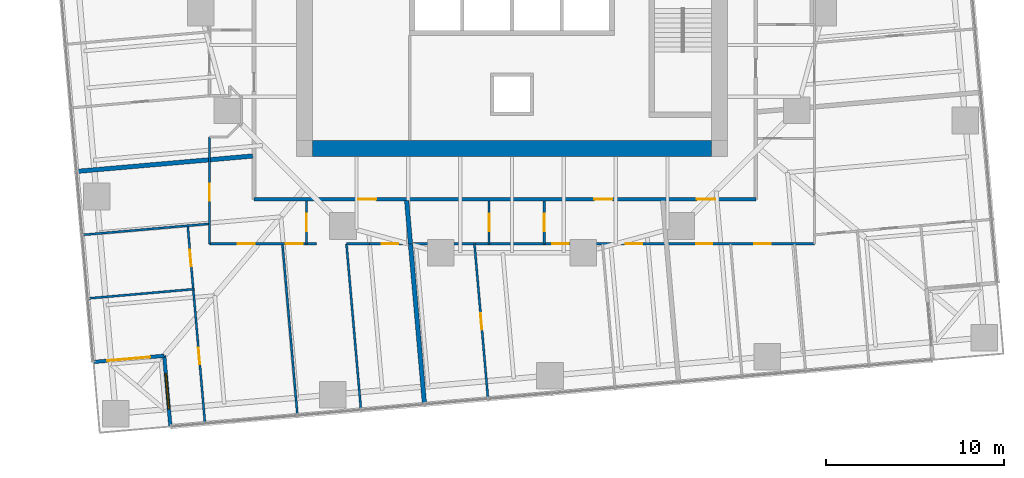
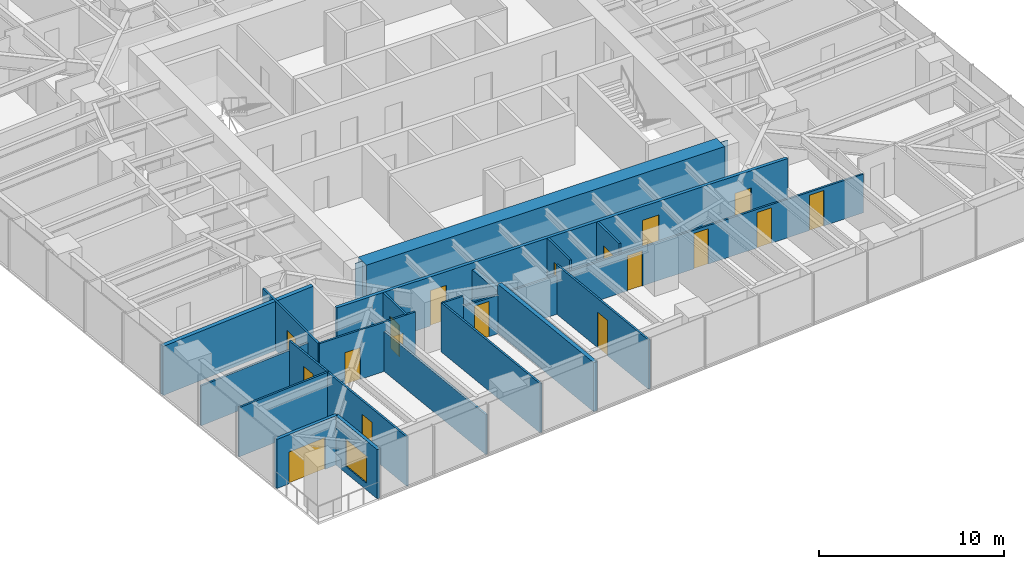
# One storey, part 8 of 14: 20 walls, 18 doors, 1 window, 19 openings.
"""IFC4 building model written with IfcOpenShell, lengths in metres."""

import ifcopenshell
import ifcopenshell.guid

model = None  # the IFC model being written
_history = None  # IfcOwnerHistory: only IFC2X3 demands one
_inside = {}  # id of a spatial element -> (the spatial element, [elements in it])
_under = {}  # id of a project, library or spatial element -> (it, [spatial elements below it])
_declared = {}  # id of a project -> (the project, [libraries it declares])
_typed = {}  # id of a type object -> (the type object, [elements of that type])
_made_of = {}  # id of a material, layer set ... -> (it, [elements and type objects made of it])


def new_model(schema):
    """Start an empty IFC model of exactly this schema.

    Asked for "IFC4X3", IfcOpenShell would pick the latest addendum, in which some entities
    have other attributes; the version numbers below select the first issue.
    IFC2X3 requires an IfcOwnerHistory on every rooted entity: one is made here for all.
    """
    global model, _history
    if schema == "IFC4X3":
        model = ifcopenshell.file(schema_version=(4, 3, 0, 0))
    else:
        model = ifcopenshell.file(schema=schema)
    _inside.clear()
    _under.clear()
    _declared.clear()
    _typed.clear()
    _made_of.clear()
    _history = None
    if model.schema == "IFC2X3":
        org = make("IfcOrganization", Name="unknown")
        user = make(
            "IfcPersonAndOrganization",
            ThePerson=make("IfcPerson", FamilyName="unknown"),
            TheOrganization=org,
        )
        app = make(
            "IfcApplication",
            ApplicationDeveloper=org,
            Version="unknown",
            ApplicationFullName="unknown",
            ApplicationIdentifier="unknown",
        )
        _history = make(
            "IfcOwnerHistory",
            OwningUser=user,
            OwningApplication=app,
            ChangeAction="ADDED",
            CreationDate=0,
        )
    return model


def make(cls, **values):
    """One entity of the class cls with the attributes given. An attribute that is None is left unset."""
    return model.create_entity(
        cls, **{name: value for name, value in values.items() if value is not None}
    )


def rooted(cls, **values):
    """An entity with a GlobalId (a new one), such as an element, a storey or a relation."""
    return make(cls, GlobalId=ifcopenshell.guid.new(), OwnerHistory=_history, **values)


def si_unit(unit_type, name, prefix=None):
    """IfcSIUnit, for example si_unit("LENGTHUNIT", "METRE", prefix="MILLI")."""
    return make("IfcSIUnit", UnitType=unit_type, Prefix=prefix, Name=name)


def assignment(units):
    """IfcUnitAssignment: the units of a project."""
    return None if units is None else make("IfcUnitAssignment", Units=units)


def point(xyz):
    """IfcCartesianPoint."""
    return None if xyz is None else make("IfcCartesianPoint", Coordinates=xyz)


def direction(xyz):
    """IfcDirection."""
    return None if xyz is None else make("IfcDirection", DirectionRatios=xyz)


def frame(location, z_axis=None, x_axis=None):
    """IfcAxis2Placement3D, a coordinate frame: its origin and axes. An axis left out is left unset."""
    return make(
        "IfcAxis2Placement3D",
        Location=point(location),
        Axis=direction(z_axis),
        RefDirection=direction(x_axis),
    )


def frame_2d(location, x_axis=None):
    """IfcAxis2Placement2D, a coordinate frame in the plane: its origin and x axis."""
    return make(
        "IfcAxis2Placement2D", Location=point(location), RefDirection=direction(x_axis)
    )


def origin():
    """The frame at (0, 0, 0) with its axes left unset."""
    return frame((0.0, 0.0, 0.0))


def place(relative_to, where):
    """IfcLocalPlacement: puts the frame where relative to a parent placement (None: the world)."""
    return make(
        "IfcLocalPlacement", PlacementRelTo=relative_to, RelativePlacement=where
    )


def context(
    kind, dimensions, precision=None, world=None, true_north=None, identifier=None
):
    """IfcGeometricRepresentationContext, for example the 3D "Model" context."""
    return make(
        "IfcGeometricRepresentationContext",
        ContextIdentifier=identifier,
        ContextType=kind,
        CoordinateSpaceDimension=dimensions,
        Precision=precision,
        WorldCoordinateSystem=world,
        TrueNorth=true_north,
    )


def subcontext(parent, identifier, kind, view, scale=None):
    """IfcGeometricRepresentationSubContext, for example "Body" below "Model"."""
    return make(
        "IfcGeometricRepresentationSubContext",
        ContextIdentifier=identifier,
        ContextType=kind,
        ParentContext=parent,
        TargetScale=scale,
        TargetView=view,
    )


def project(units=None, contexts=None):
    """IfcProject with its units and contexts."""
    return rooted(
        "IfcProject",
        Name="project",
        RepresentationContexts=contexts,
        UnitsInContext=assignment(units),
    )


def spatial(cls, under=None, at=None, **own):
    """A site, building, storey or space (cls), placed at a placement, below another one or the project."""
    s = rooted(cls, ObjectPlacement=at, **own)
    if under is not None:
        _under.setdefault(under.id(), (under, []))[1].append(s)
    return s


def polyline(points):
    """IfcPolyline through the points."""
    return make("IfcPolyline", Points=[point(p) for p in points])


def profile(cls, at=None, kind="AREA", **sizes):
    """A parametric profile (cls). Its sizes go by their IFC names, for example OverallWidth=200.0."""
    return make(cls, ProfileType=kind, Position=at, **sizes)


def rectangle(**sizes):
    """IfcRectangleProfileDef."""
    return profile("IfcRectangleProfileDef", **sizes)


def outline(outer, holes=None, kind="AREA"):
    """IfcArbitraryClosedProfileDef: a profile drawn as a closed curve; with holes, ...WithVoids."""
    if holes is None:
        return make("IfcArbitraryClosedProfileDef", ProfileType=kind, OuterCurve=outer)
    return make(
        "IfcArbitraryProfileDefWithVoids",
        ProfileType=kind,
        OuterCurve=outer,
        InnerCurves=holes,
    )


def extrude(swept, where, along, depth):
    """IfcExtrudedAreaSolid: the profile swept, set in the frame where, extruded along a direction by depth."""
    return make(
        "IfcExtrudedAreaSolid",
        SweptArea=swept,
        Position=where,
        ExtrudedDirection=direction(along),
        Depth=depth,
    )


def shape(context_of_items, identifier, shape_type, items):
    """IfcShapeRepresentation: the items that make up one representation, for example the "Body"."""
    return make(
        "IfcShapeRepresentation",
        ContextOfItems=context_of_items,
        RepresentationIdentifier=identifier,
        RepresentationType=shape_type,
        Items=items,
    )


def material(Name=None, Category=None):
    """IfcMaterial."""
    return make("IfcMaterial", Name=Name, Category=Category)


def layer(
    of_material, thickness, ventilated=None, Name=None, Category=None, Priority=None
):
    """IfcMaterialLayer: one layer of a wall or slab, of a material (None: an air gap)."""
    return make(
        "IfcMaterialLayer",
        Material=of_material,
        LayerThickness=thickness,
        IsVentilated=ventilated,
        Name=Name,
        Category=Category,
        Priority=Priority,
    )


def layer_set(layers, Name=None):
    """IfcMaterialLayerSet."""
    return make("IfcMaterialLayerSet", MaterialLayers=layers, LayerSetName=Name)


def made_of(thing, what):
    """Note that an element or type object is made of a material, layer set ...; save() writes the relation."""
    if what is not None:
        _made_of.setdefault(what.id(), (what, []))[1].append(thing)
    return thing


def type_object(cls, material=None, **own):
    """A type object (cls), such as IfcWallType, which elements share."""
    return made_of(rooted(cls, **own), material)


def element(
    cls,
    number,
    at=None,
    inside=None,
    cuts=None,
    type_object=None,
    material=None,
    context=None,
    identifier="Body",
    shape_type=None,
    held_by="IfcProductDefinitionShape",
    body=None,
    shapes=None,
    **own,
):
    """One element of the class cls, such as IfcWall. Its Tag is "e" and its number.

    at: its placement. inside: the storey or other place that contains it. cuts: it is an
    opening in that element (IfcRelVoidsElement). A single representation is given by context,
    identifier, shape_type and body (its items); several are given by shapes. held_by: the class
    of the entity that holds the representations. save() writes the other relations.
    """
    e = rooted(cls, Tag="e%d" % number, ObjectPlacement=at, **own)
    if body is not None:
        shapes = [shape(context, identifier, shape_type, body)]
    if shapes is not None:
        e.Representation = make(held_by, Representations=shapes)
    if inside is not None:
        _inside.setdefault(inside.id(), (inside, []))[1].append(e)
    if cuts is not None:
        rooted(
            "IfcRelVoidsElement", RelatingBuildingElement=cuts, RelatedOpeningElement=e
        )
    if type_object is not None:
        _typed.setdefault(type_object.id(), (type_object, []))[1].append(e)
    return made_of(e, material)


def fill(opening, filler):
    """IfcRelFillsElement: the door or window that sits in an opening."""
    return rooted(
        "IfcRelFillsElement",
        RelatingOpeningElement=opening,
        RelatedBuildingElement=filler,
    )


def aggregate(whole, parts):
    """IfcRelAggregates: a whole, such as a stair, and the parts it consists of."""
    return rooted("IfcRelAggregates", RelatingObject=whole, RelatedObjects=parts)


def save(model, path):
    """Write the relations noted so far, then the file.

    IfcRelAggregates (storeys below a building ...), IfcRelContainedInSpatialStructure (elements
    in a storey), IfcRelDefinesByType, IfcRelAssociatesMaterial and IfcRelDeclares: one each for
    every whole, place, type object, material and project.
    """
    for whole, parts in _under.values():
        aggregate(whole, parts)
    for where, things in _inside.values():
        rooted(
            "IfcRelContainedInSpatialStructure",
            RelatedElements=things,
            RelatingStructure=where,
        )
    for kind, things in _typed.values():
        rooted("IfcRelDefinesByType", RelatedObjects=things, RelatingType=kind)
    for what, things in _made_of.values():
        rooted("IfcRelAssociatesMaterial", RelatedObjects=things, RelatingMaterial=what)
    for by, libraries in _declared.values():
        rooted("IfcRelDeclares", RelatingContext=by, RelatedDefinitions=libraries)
    model.write(path)


model = new_model("IFC4")

# Units and contexts
model_context = context("Model", 3, precision=1e-05, world=origin(), true_north=direction((0.0, 1.0)))
body_context = subcontext(model_context, "Body", "Model", "MODEL_VIEW")
ifc_project = project(units=[si_unit("LENGTHUNIT", "METRE"), si_unit("AREAUNIT", "SQUARE_METRE"), si_unit("VOLUMEUNIT", "CUBIC_METRE"), si_unit("PLANEANGLEUNIT", "RADIAN"), si_unit("MASSUNIT", "GRAM", prefix="KILO")], contexts=[model_context])

# Site, building, storey
site_placement = place(None, origin())
site = spatial("IfcSite", under=ifc_project, at=site_placement, CompositionType="ELEMENT")
building_placement = place(site_placement, origin())
building = spatial("IfcBuilding", under=site, at=building_placement, Name="Torsade Residences", CompositionType="ELEMENT")
storey_placement = place(building_placement, frame((0.0, 0.0, 47.199951171875)))
storey = spatial("IfcBuildingStorey", under=building, at=storey_placement, Name="L12", CompositionType="ELEMENT", Elevation=47.199951171875)

# Wall
ifc_material_1 = material(Name="Concrete 80 MPa", Category="concrete")
ifc_layer_1 = layer(ifc_material_1, 0.89990234375)
ifc_layer_set_1 = layer_set([ifc_layer_1], Name="Concrete 80 MPa")
wall_type_1 = type_object("IfcWallType", Name="CORE WALL 900", PredefinedType="SHEAR", material=ifc_layer_set_1)
wall_1_placement = place(storey_placement, frame((51.199951171875, 18.35009765625, 0.0), z_axis=(0.0, 0.0, 1.0), x_axis=(-1.0, 0.0, 0.0)))
element("IfcWall", 1, at=wall_1_placement, inside=storey, type_object=wall_type_1, Name="Core wall S L12", PredefinedType="SHEAR", context=body_context, shape_type="SweptSolid", body=[
    extrude(outline(polyline([(0.0, -0.449951171875), (22.39990234375, -0.449951171875), (22.39990234375, -0.02490234375), (22.849853515625, -0.02490234375), (22.849853515625, 0.02490234375), (22.39990234375, 0.02490234375), (22.39990234375, 0.449951171875), (0.0, 0.449951171875), (0.0, 0.02490234375), (-0.449951171875, 0.02490234375), (-0.449951171875, -0.02490234375), (0.0, -0.02490234375), (0.0, -0.449951171875)])), origin(), (0.0, 0.0, 1.0), 3.400146484375),
])

# Wall, openings, doors
ifc_material_2 = material(Name="Plasterboard on steel stud", Category="steel")
ifc_layer_2 = layer(ifc_material_2, 0.199951171875)
ifc_layer_set_2 = layer_set([ifc_layer_2], Name="Plasterboard on steel stud")
wall_type_2 = type_object("IfcWallType", Name="CORRIDOR WALL 200", PredefinedType="PARTITIONING", material=ifc_layer_set_2)
wall_2_placement = place(storey_placement, frame((25.5, 15.5, 0.0), z_axis=(0.0, 0.0, 1.0), x_axis=(1.0, 0.0, 0.0)))
wall_2 = element("IfcWall", 2, at=wall_2_placement, inside=storey, type_object=wall_type_2, Name="Corridor wall L12", PredefinedType="PARTITIONING", context=body_context, shape_type="SweptSolid", body=[
    extrude(rectangle(XDim=28.199951171875, YDim=0.199951171875, at=frame_2d((14.10009765625, 0.0))), origin(), (0.0, 0.0, 1.0), 3.25),
])
opening_1_placement = place(wall_2_placement, frame((19.123046875, 0.0, 0.0)))
opening_1 = element("IfcOpeningElement", 3, at=opening_1_placement, cuts=wall_2, Name="Opening D01", PredefinedType="OPENING", context=body_context, shape_type="SweptSolid", body=[
    extrude(rectangle(XDim=1.02001953125, YDim=2.340087890625, at=frame_2d((0.510009765625, 1.169921875))), frame((0.0, 0.10986328125, 0.0), z_axis=(0.0, -1.0, 0.0), x_axis=(1.0, 0.0, 0.0)), (0.0, 0.0, 1.0), 0.219970703125),
])
opening_2_placement = place(wall_2_placement, frame((5.85009765625, 0.0, 0.0)))
opening_2 = element("IfcOpeningElement", 4, at=opening_2_placement, cuts=wall_2, Name="Opening D01", PredefinedType="OPENING", context=body_context, shape_type="SweptSolid", body=[
    extrude(rectangle(XDim=1.02001953125, YDim=2.340087890625, at=frame_2d((0.510009765625, 1.169921875))), frame((0.0, 0.10986328125, 0.0), z_axis=(0.0, -1.0, 0.0), x_axis=(1.0, 0.0, 0.0)), (0.0, 0.0, 1.0), 0.219970703125),
])
opening_3_placement = place(wall_2_placement, frame((24.891845703125, 0.0, 0.0)))
opening_3 = element("IfcOpeningElement", 5, at=opening_3_placement, cuts=wall_2, Name="Opening D01L", PredefinedType="OPENING", context=body_context, shape_type="SweptSolid", body=[
    extrude(rectangle(XDim=1.02001953125, YDim=2.10009765625, at=frame_2d((0.510009765625, 1.050048828125))), frame((0.0, 0.10986328125, 0.0), z_axis=(0.0, -1.0, 0.0), x_axis=(1.0, 0.0, 0.0)), (0.0, 0.0, 1.0), 0.219970703125),
])
ifc_material_3 = material(Name="Solid-core timber fire door", Category="wood")
door_type_1 = type_object("IfcDoorType", Name="APARTMENT ENTRY DOOR 1020x2100", OperationType="NOTDEFINED", PredefinedType="DOOR", material=ifc_material_3)
door_1_placement = place(opening_3_placement, origin())
door_1 = element("IfcDoor", 6, at=door_1_placement, inside=storey, type_object=door_type_1, Name="Door Residential corridor to Kitchen and dining", OperationType="SINGLE_SWING_RIGHT", OverallHeight=2.10009765625, OverallWidth=1.02001953125, PredefinedType="DOOR", context=body_context, shape_type="SweptSolid", body=[
    extrude(rectangle(XDim=1.02001953125, YDim=2.10009765625, at=frame_2d((0.510009765625, 1.050048828125))), frame((0.0, 0.02490234375, 0.0), z_axis=(0.0, -1.0, 0.0), x_axis=(1.0, 0.0, 0.0)), (0.0, 0.0, 1.0), 0.050048828125),
])
fill(opening_3, door_1)
ifc_material_4 = material(Name="Solid-core timber fire door", Category="wood")
door_type_2 = type_object("IfcDoorType", Name="APARTMENT ENTRY DOOR 1020x2340", OperationType="NOTDEFINED", PredefinedType="DOOR", material=ifc_material_4)
door_2_placement = place(opening_1_placement, origin())
door_2 = element("IfcDoor", 7, at=door_2_placement, inside=storey, type_object=door_type_2, Name="Door Residential corridor to Kitchen and dining", OperationType="SINGLE_SWING_RIGHT", OverallHeight=2.340087890625, OverallWidth=1.02001953125, PredefinedType="DOOR", context=body_context, shape_type="SweptSolid", body=[
    extrude(rectangle(XDim=1.02001953125, YDim=2.340087890625, at=frame_2d((0.510009765625, 1.169921875))), frame((0.0, 0.02490234375, 0.0), z_axis=(0.0, -1.0, 0.0), x_axis=(1.0, 0.0, 0.0)), (0.0, 0.0, 1.0), 0.050048828125),
])
fill(opening_1, door_2)
door_3_placement = place(opening_2_placement, origin())
door_3 = element("IfcDoor", 8, at=door_3_placement, inside=storey, type_object=door_type_2, Name="Door Residential corridor to Kitchen and dining", OperationType="SINGLE_SWING_RIGHT", OverallHeight=2.340087890625, OverallWidth=1.02001953125, PredefinedType="DOOR", context=body_context, shape_type="SweptSolid", body=[
    extrude(rectangle(XDim=1.02001953125, YDim=2.340087890625, at=frame_2d((0.510009765625, 1.169921875))), frame((0.0, 0.02490234375, 0.0), z_axis=(0.0, -1.0, 0.0), x_axis=(1.0, 0.0, 0.0)), (0.0, 0.0, 1.0), 0.050048828125),
])
fill(opening_2, door_3)

# Wall, opening, door
ifc_material_5 = material(Name="Plasterboard on steel stud", Category="steel")
ifc_layer_3 = layer(ifc_material_5, 0.1201171875)
ifc_layer_set_3 = layer_set([ifc_layer_3], Name="Plasterboard on steel stud")
wall_type_3 = type_object("IfcWallType", Name="PARTITION 120", PredefinedType="PARTITIONING", material=ifc_layer_set_3)
wall_3_placement = place(storey_placement, frame((23.0, 13.0, 0.0), z_axis=(0.0, 0.0, 1.0), x_axis=(0.0, 1.0, 0.0)))
wall_3 = element("IfcWall", 9, at=wall_3_placement, inside=storey, type_object=wall_type_3, Name="Partition L12", PredefinedType="PARTITIONING", context=body_context, shape_type="SweptSolid", body=[
    extrude(rectangle(XDim=6.0, YDim=0.1201171875, at=frame_2d((3.0, 0.0))), origin(), (0.0, 0.0, 1.0), 3.25),
])
opening_4_placement = place(wall_3_placement, frame((2.41796875, 0.0, 0.0)))
opening_4 = element("IfcOpeningElement", 10, at=opening_4_placement, cuts=wall_3, Name="Opening D05", PredefinedType="OPENING", context=body_context, shape_type="SweptSolid", body=[
    extrude(rectangle(XDim=0.9599609375, YDim=2.10009765625, at=frame_2d((0.47998046875, 1.050048828125))), frame((0.0, 0.070068359375, 0.0), z_axis=(0.0, -1.0, 0.0), x_axis=(1.0, 0.0, 0.0)), (0.0, 0.0, 1.0), 0.14013671875),
])
ifc_material_6 = material(Name="Hollow-core timber door in a steel cavity frame", Category="steel")
door_type_3 = type_object("IfcDoorType", Name="BATHROOM CAVITY SLIDING DOOR 960", OperationType="SLIDING_TO_LEFT", PredefinedType="DOOR", material=ifc_material_6)
door_4_placement = place(opening_4_placement, origin())
door_4 = element("IfcDoor", 11, at=door_4_placement, inside=storey, type_object=door_type_3, Name="Door Bathroom to Family room", OperationType="SLIDING_TO_LEFT", OverallHeight=2.10009765625, OverallWidth=0.9599609375, PredefinedType="DOOR", context=body_context, shape_type="SweptSolid", body=[
    extrude(rectangle(XDim=0.9599609375, YDim=2.10009765625, at=frame_2d((0.47998046875, 1.050048828125))), frame((0.0, 0.02490234375, 0.0), z_axis=(0.0, -1.0, 0.0), x_axis=(1.0, 0.0, 0.0)), (0.0, 0.0, 1.0), 0.050048828125),
])
fill(opening_4, door_4)

wall_4_placement = place(storey_placement, frame((28.45361328125, 13.0, 0.0), z_axis=(0.0, 0.0, 1.0), x_axis=(0.0, 1.0, 0.0)))
wall_4 = element("IfcWall", 12, at=wall_4_placement, inside=storey, type_object=wall_type_3, Name="Partition L12", PredefinedType="PARTITIONING", context=body_context, shape_type="SweptSolid", body=[
    extrude(rectangle(XDim=2.39990234375, YDim=0.1201171875, at=frame_2d((1.199951171875, 0.0))), origin(), (0.0, 0.0, 1.0), 3.25),
])
opening_5_placement = place(wall_4_placement, frame((0.719970703125, 0.0, 0.0)))
opening_5 = element("IfcOpeningElement", 13, at=opening_5_placement, cuts=wall_4, Name="Opening D05", PredefinedType="OPENING", context=body_context, shape_type="SweptSolid", body=[
    extrude(rectangle(XDim=0.9599609375, YDim=2.10009765625, at=frame_2d((0.47998046875, 1.050048828125))), frame((0.0, 0.070068359375, 0.0), z_axis=(0.0, -1.0, 0.0), x_axis=(1.0, 0.0, 0.0)), (0.0, 0.0, 1.0), 0.14013671875),
])
door_5_placement = place(opening_5_placement, origin())
door_5 = element("IfcDoor", 14, at=door_5_placement, inside=storey, type_object=door_type_3, Name="Door Kitchen and dining to Bathroom", OperationType="SLIDING_TO_LEFT", OverallHeight=2.10009765625, OverallWidth=0.9599609375, PredefinedType="DOOR", context=body_context, shape_type="SweptSolid", body=[
    extrude(rectangle(XDim=0.9599609375, YDim=2.10009765625, at=frame_2d((0.47998046875, 1.050048828125))), frame((0.0, 0.02490234375, 0.0), z_axis=(0.0, -1.0, 0.0), x_axis=(1.0, 0.0, 0.0)), (0.0, 0.0, 1.0), 0.050048828125),
])
fill(opening_5, door_5)

# Wall, openings, doors
wall_5_placement = place(storey_placement, frame((29.0, 13.0, 0.0), z_axis=(0.0, 0.0, 1.0), x_axis=(-1.0, 0.0, 0.0)))
wall_5 = element("IfcWall", 15, at=wall_5_placement, inside=storey, type_object=wall_type_3, Name="Partition L12", PredefinedType="PARTITIONING", context=body_context, shape_type="SweptSolid", body=[
    extrude(rectangle(XDim=6.0, YDim=0.1201171875, at=frame_2d((3.0, 0.0))), origin(), (0.0, 0.0, 1.0), 3.25),
])
opening_6_placement = place(wall_5_placement, frame((3.4453125, 0.0, 0.0)))
opening_6 = element("IfcOpeningElement", 16, at=opening_6_placement, cuts=wall_5, Name="Opening D05", PredefinedType="OPENING", context=body_context, shape_type="SweptSolid", body=[
    extrude(rectangle(XDim=0.9599609375, YDim=2.10009765625, at=frame_2d((0.47998046875, 1.050048828125))), frame((0.0, 0.070068359375, 0.0), z_axis=(0.0, -1.0, 0.0), x_axis=(1.0, 0.0, 0.0)), (0.0, 0.0, 1.0), 0.14013671875),
])
opening_7_placement = place(wall_5_placement, frame((0.768798828125, 0.0, 0.0)))
opening_7 = element("IfcOpeningElement", 17, at=opening_7_placement, cuts=wall_5, Name="Opening D05", PredefinedType="OPENING", context=body_context, shape_type="SweptSolid", body=[
    extrude(rectangle(XDim=0.9599609375, YDim=2.10009765625, at=frame_2d((0.47998046875, 1.050048828125))), frame((0.0, 0.070068359375, 0.0), z_axis=(0.0, -1.0, 0.0), x_axis=(1.0, 0.0, 0.0)), (0.0, 0.0, 1.0), 0.14013671875),
])
door_6_placement = place(opening_6_placement, origin())
door_6 = element("IfcDoor", 18, at=door_6_placement, inside=storey, type_object=door_type_3, Name="Door Bathroom to Living room", OperationType="SLIDING_TO_LEFT", OverallHeight=2.10009765625, OverallWidth=0.9599609375, PredefinedType="DOOR", context=body_context, shape_type="SweptSolid", body=[
    extrude(rectangle(XDim=0.9599609375, YDim=2.10009765625, at=frame_2d((0.47998046875, 1.050048828125))), frame((0.0, 0.02490234375, 0.0), z_axis=(0.0, -1.0, 0.0), x_axis=(1.0, 0.0, 0.0)), (0.0, 0.0, 1.0), 0.050048828125),
])
fill(opening_6, door_6)
door_7_placement = place(opening_7_placement, origin())
door_7 = element("IfcDoor", 19, at=door_7_placement, inside=storey, type_object=door_type_3, Name="Door Bathroom to Bedroom 1", OperationType="SLIDING_TO_LEFT", OverallHeight=2.10009765625, OverallWidth=0.9599609375, PredefinedType="DOOR", context=body_context, shape_type="SweptSolid", body=[
    extrude(rectangle(XDim=0.9599609375, YDim=2.10009765625, at=frame_2d((0.47998046875, 1.050048828125))), frame((0.0, 0.02490234375, 0.0), z_axis=(0.0, -1.0, 0.0), x_axis=(1.0, 0.0, 0.0)), (0.0, 0.0, 1.0), 0.050048828125),
])
fill(opening_7, door_7)

wall_6_placement = place(storey_placement, frame((57.0, 13.0, 0.0), z_axis=(0.0, 0.0, 1.0), x_axis=(-1.0, 0.0, 0.0)))
wall_6 = element("IfcWall", 20, at=wall_6_placement, inside=storey, type_object=wall_type_3, Name="Partition L12", PredefinedType="PARTITIONING", context=body_context, shape_type="SweptSolid", body=[
    extrude(rectangle(XDim=25.0, YDim=0.1201171875, at=frame_2d((12.5, 0.0))), origin(), (0.0, 0.0, 1.0), 2.550048828125),
])
opening_8_placement = place(wall_6_placement, frame((9.682373046875, 0.0, 0.0)))
opening_8 = element("IfcOpeningElement", 21, at=opening_8_placement, cuts=wall_6, Name="Opening D02", PredefinedType="OPENING", context=body_context, shape_type="SweptSolid", body=[
    extrude(rectangle(XDim=0.919921875, YDim=2.340087890625, at=frame_2d((0.4599609375, 1.169921875))), frame((0.0, 0.070068359375, 0.0), z_axis=(0.0, -1.0, 0.0), x_axis=(1.0, 0.0, 0.0)), (0.0, 0.0, 1.0), 0.14013671875),
])
opening_9_placement = place(wall_6_placement, frame((13.817138671875, 0.0, 0.0)))
opening_9 = element("IfcOpeningElement", 22, at=opening_9_placement, cuts=wall_6, Name="Opening D02", PredefinedType="OPENING", context=body_context, shape_type="SweptSolid", body=[
    extrude(rectangle(XDim=0.919921875, YDim=2.340087890625, at=frame_2d((0.4599609375, 1.169921875))), frame((0.0, 0.070068359375, 0.0), z_axis=(0.0, -1.0, 0.0), x_axis=(1.0, 0.0, 0.0)), (0.0, 0.0, 1.0), 0.14013671875),
])
opening_10_placement = place(wall_6_placement, frame((23.393310546875, 0.0, 0.0)))
opening_10 = element("IfcOpeningElement", 23, at=opening_10_placement, cuts=wall_6, Name="Opening D02", PredefinedType="OPENING", context=body_context, shape_type="SweptSolid", body=[
    extrude(rectangle(XDim=0.919921875, YDim=2.340087890625, at=frame_2d((0.4599609375, 1.169921875))), frame((0.0, 0.070068359375, 0.0), z_axis=(0.0, -1.0, 0.0), x_axis=(1.0, 0.0, 0.0)), (0.0, 0.0, 1.0), 0.14013671875),
])
opening_11_placement = place(wall_6_placement, frame((2.463134765625, 0.0, 0.0)))
opening_11 = element("IfcOpeningElement", 24, at=opening_11_placement, cuts=wall_6, Name="Opening D02", PredefinedType="OPENING", context=body_context, shape_type="SweptSolid", body=[
    extrude(rectangle(XDim=0.919921875, YDim=2.340087890625, at=frame_2d((0.4599609375, 1.169921875))), frame((0.0, 0.070068359375, 0.0), z_axis=(0.0, -1.0, 0.0), x_axis=(1.0, 0.0, 0.0)), (0.0, 0.0, 1.0), 0.14013671875),
])
opening_12_placement = place(wall_6_placement, frame((5.735107421875, 0.0, 0.0)))
opening_12 = element("IfcOpeningElement", 25, at=opening_12_placement, cuts=wall_6, Name="Opening D02", PredefinedType="OPENING", context=body_context, shape_type="SweptSolid", body=[
    extrude(rectangle(XDim=0.919921875, YDim=2.340087890625, at=frame_2d((0.4599609375, 1.169921875))), frame((0.0, 0.070068359375, 0.0), z_axis=(0.0, -1.0, 0.0), x_axis=(1.0, 0.0, 0.0)), (0.0, 0.0, 1.0), 0.14013671875),
])
ifc_material_7 = material(Name="Hollow-core timber door", Category="wood")
door_type_4 = type_object("IfcDoorType", Name="INTERNAL DOOR 920x2340", OperationType="NOTDEFINED", PredefinedType="DOOR", material=ifc_material_7)
door_8_placement = place(opening_8_placement, origin())
door_8 = element("IfcDoor", 26, at=door_8_placement, inside=storey, type_object=door_type_4, Name="Door Kitchen and dining to Bedroom 2", OperationType="SINGLE_SWING_LEFT", OverallHeight=2.340087890625, OverallWidth=0.919921875, PredefinedType="DOOR", context=body_context, shape_type="SweptSolid", body=[
    extrude(rectangle(XDim=0.919921875, YDim=2.340087890625, at=frame_2d((0.4599609375, 1.169921875))), frame((0.0, 0.02490234375, 0.0), z_axis=(0.0, -1.0, 0.0), x_axis=(1.0, 0.0, 0.0)), (0.0, 0.0, 1.0), 0.050048828125),
])
fill(opening_8, door_8)
door_9_placement = place(opening_9_placement, origin())
door_9 = element("IfcDoor", 27, at=door_9_placement, inside=storey, type_object=door_type_4, Name="Door Kitchen and dining to Living room", OperationType="SINGLE_SWING_LEFT", OverallHeight=2.340087890625, OverallWidth=0.919921875, PredefinedType="DOOR", context=body_context, shape_type="SweptSolid", body=[
    extrude(rectangle(XDim=0.919921875, YDim=2.340087890625, at=frame_2d((0.4599609375, 1.169921875))), frame((0.0, 0.02490234375, 0.0), z_axis=(0.0, -1.0, 0.0), x_axis=(1.0, 0.0, 0.0)), (0.0, 0.0, 1.0), 0.050048828125),
])
fill(opening_9, door_9)
door_10_placement = place(opening_10_placement, origin())
door_10 = element("IfcDoor", 28, at=door_10_placement, inside=storey, type_object=door_type_4, Name="Door Kitchen and dining to Bedroom 2", OperationType="SINGLE_SWING_LEFT", OverallHeight=2.340087890625, OverallWidth=0.919921875, PredefinedType="DOOR", context=body_context, shape_type="SweptSolid", body=[
    extrude(rectangle(XDim=0.919921875, YDim=2.340087890625, at=frame_2d((0.4599609375, 1.169921875))), frame((0.0, 0.02490234375, 0.0), z_axis=(0.0, -1.0, 0.0), x_axis=(1.0, 0.0, 0.0)), (0.0, 0.0, 1.0), 0.050048828125),
])
fill(opening_10, door_10)
door_11_placement = place(opening_11_placement, origin())
door_11 = element("IfcDoor", 29, at=door_11_placement, inside=storey, type_object=door_type_4, Name="Door Kitchen and dining to Family room", OperationType="SINGLE_SWING_RIGHT", OverallHeight=2.340087890625, OverallWidth=0.919921875, PredefinedType="DOOR", context=body_context, shape_type="SweptSolid", body=[
    extrude(rectangle(XDim=0.919921875, YDim=2.340087890625, at=frame_2d((0.4599609375, 1.169921875))), frame((0.0, 0.02490234375, 0.0), z_axis=(0.0, -1.0, 0.0), x_axis=(1.0, 0.0, 0.0)), (0.0, 0.0, 1.0), 0.050048828125),
])
fill(opening_11, door_11)
door_12_placement = place(opening_12_placement, origin())
door_12 = element("IfcDoor", 30, at=door_12_placement, inside=storey, type_object=door_type_4, Name="Door Kitchen and dining to Bedroom 1", OperationType="SINGLE_SWING_LEFT", OverallHeight=2.340087890625, OverallWidth=0.919921875, PredefinedType="DOOR", context=body_context, shape_type="SweptSolid", body=[
    extrude(rectangle(XDim=0.919921875, YDim=2.340087890625, at=frame_2d((0.4599609375, 1.169921875))), frame((0.0, 0.02490234375, 0.0), z_axis=(0.0, -1.0, 0.0), x_axis=(1.0, 0.0, 0.0)), (0.0, 0.0, 1.0), 0.050048828125),
])
fill(opening_12, door_12)

# Wall
wall_7_placement = place(storey_placement, frame((27.09912109375, 13.0, 0.0), z_axis=(0.0, 0.0, 1.0), x_axis=(0.087165694789, -0.996193827351, 0.0)))
element("IfcWall", 31, at=wall_7_placement, inside=storey, type_object=wall_type_3, Name="Partition L12", PredefinedType="PARTITIONING", context=body_context, shape_type="SweptSolid", body=[
    extrude(rectangle(XDim=9.64892578125, YDim=0.1201171875, at=frame_2d((4.824462890625, 0.0))), origin(), (0.0, 0.0, 1.0), 2.637939453125),
])

# Wall, openings, doors
wall_8_placement = place(storey_placement, frame((22.745361328125, 2.93310546875, 0.0), z_axis=(0.0, 0.0, 1.0), x_axis=(-0.087152252187, 0.99619500347, 0.0)))
wall_8 = element("IfcWall", 32, at=wall_8_placement, inside=storey, type_object=wall_type_3, Name="Partition L12", PredefinedType="PARTITIONING", context=body_context, shape_type="SweptSolid", body=[
    extrude(rectangle(XDim=11.126708984375, YDim=0.1201171875, at=frame_2d((5.5634765625, 0.0))), origin(), (0.0, 0.0, 1.0), 3.25),
])
opening_13_placement = place(wall_8_placement, frame((3.316650390625, 0.0, 0.0)))
opening_13 = element("IfcOpeningElement", 33, at=opening_13_placement, cuts=wall_8, Name="Opening D02", PredefinedType="OPENING", context=body_context, shape_type="SweptSolid", body=[
    extrude(rectangle(XDim=0.919921875, YDim=2.340087890625, at=frame_2d((0.4599609375, 1.169921875))), frame((0.0, 0.070068359375, 0.0), z_axis=(0.0, -1.0, 0.0), x_axis=(1.0, 0.0, 0.0)), (0.0, 0.0, 1.0), 0.14013671875),
])
opening_14_placement = place(wall_8_placement, frame((8.85009765625, 0.0, 0.0)))
opening_14 = element("IfcOpeningElement", 34, at=opening_14_placement, cuts=wall_8, Name="Opening D02", PredefinedType="OPENING", context=body_context, shape_type="SweptSolid", body=[
    extrude(rectangle(XDim=0.919921875, YDim=2.340087890625, at=frame_2d((0.4599609375, 1.169921875))), frame((0.0, 0.070068359375, 0.0), z_axis=(0.0, -1.0, 0.0), x_axis=(1.0, 0.0, 0.0)), (0.0, 0.0, 1.0), 0.14013671875),
])
door_13_placement = place(opening_13_placement, origin())
door_13 = element("IfcDoor", 35, at=door_13_placement, inside=storey, type_object=door_type_4, Name="Door Living room to Study", OperationType="SINGLE_SWING_LEFT", OverallHeight=2.340087890625, OverallWidth=0.919921875, PredefinedType="DOOR", context=body_context, shape_type="SweptSolid", body=[
    extrude(rectangle(XDim=0.919921875, YDim=2.340087890625, at=frame_2d((0.4599609375, 1.169921875))), frame((0.0, 0.02490234375, 0.0), z_axis=(0.0, -1.0, 0.0), x_axis=(1.0, 0.0, 0.0)), (0.0, 0.0, 1.0), 0.050048828125),
])
fill(opening_13, door_13)
door_14_placement = place(opening_14_placement, origin())
door_14 = element("IfcDoor", 36, at=door_14_placement, inside=storey, type_object=door_type_4, Name="Door Living room to Media room", OperationType="SINGLE_SWING_RIGHT", OverallHeight=2.340087890625, OverallWidth=0.919921875, PredefinedType="DOOR", context=body_context, shape_type="SweptSolid", body=[
    extrude(rectangle(XDim=0.919921875, YDim=2.340087890625, at=frame_2d((0.4599609375, 1.169921875))), frame((0.0, 0.02490234375, 0.0), z_axis=(0.0, -1.0, 0.0), x_axis=(1.0, 0.0, 0.0)), (0.0, 0.0, 1.0), 0.050048828125),
])
fill(opening_14, door_14)

# Walls
wall_9_placement = place(storey_placement, frame((15.88623046875, 13.502197265625, 0.0), z_axis=(0.0, 0.0, 1.0), x_axis=(0.996195424363, 0.087147441029, 0.0)))
element("IfcWall", 37, at=wall_9_placement, inside=storey, type_object=wall_type_3, Name="Partition L12", PredefinedType="PARTITIONING", context=body_context, shape_type="SweptSolid", body=[
    extrude(rectangle(XDim=7.140869140625, YDim=0.1201171875, at=frame_2d((3.5703125, 0.0))), origin(), (0.0, 0.0, 1.0), 2.637939453125),
])
wall_10_placement = place(storey_placement, frame((30.6962890625, 13.0, 0.0), z_axis=(0.0, 0.0, 1.0), x_axis=(0.087163381753, -0.996194029736, 0.0)))
element("IfcWall", 38, at=wall_10_placement, inside=storey, type_object=wall_type_3, Name="Partition L12", PredefinedType="PARTITIONING", context=body_context, shape_type="SweptSolid", body=[
    extrude(rectangle(XDim=9.335693359375, YDim=0.1201171875, at=frame_2d((4.66796875, 0.0))), origin(), (0.0, 0.0, 1.0), 3.25),
])
wall_11_placement = place(storey_placement, frame((16.198486328125, 9.9326171875, 0.0), z_axis=(0.0, 0.0, 1.0), x_axis=(0.996196451325, 0.087135700879, 0.0)))
element("IfcWall", 39, at=wall_11_placement, inside=storey, type_object=wall_type_3, Name="Partition L12", PredefinedType="PARTITIONING", context=body_context, shape_type="SweptSolid", body=[
    extrude(rectangle(XDim=5.911865234375, YDim=0.1201171875, at=frame_2d((2.9560546875, 0.0))), origin(), (0.0, 0.0, 1.0), 3.25),
])

# Wall, opening, door
wall_12_placement = place(storey_placement, frame((41.811279296875, 13.0, 0.0), z_axis=(0.0, 0.0, 1.0), x_axis=(0.0, 1.0, 0.0)))
wall_12 = element("IfcWall", 40, at=wall_12_placement, inside=storey, type_object=wall_type_3, Name="Partition L12", PredefinedType="PARTITIONING", context=body_context, shape_type="SweptSolid", body=[
    extrude(rectangle(XDim=2.39990234375, YDim=0.1201171875, at=frame_2d((1.199951171875, 0.0))), origin(), (0.0, 0.0, 1.0), 3.25),
])
opening_15_placement = place(wall_12_placement, frame((0.719970703125, 0.0, 0.0)))
opening_15 = element("IfcOpeningElement", 41, at=opening_15_placement, cuts=wall_12, Name="Opening D05", PredefinedType="OPENING", context=body_context, shape_type="SweptSolid", body=[
    extrude(rectangle(XDim=0.9599609375, YDim=2.10009765625, at=frame_2d((0.47998046875, 1.050048828125))), frame((0.0, 0.070068359375, 0.0), z_axis=(0.0, -1.0, 0.0), x_axis=(1.0, 0.0, 0.0)), (0.0, 0.0, 1.0), 0.14013671875),
])
door_15_placement = place(opening_15_placement, origin())
door_15 = element("IfcDoor", 42, at=door_15_placement, inside=storey, type_object=door_type_3, Name="Door Kitchen and dining to Ensuite", OperationType="SLIDING_TO_LEFT", OverallHeight=2.10009765625, OverallWidth=0.9599609375, PredefinedType="DOOR", context=body_context, shape_type="SweptSolid", body=[
    extrude(rectangle(XDim=0.9599609375, YDim=2.10009765625, at=frame_2d((0.47998046875, 1.050048828125))), frame((0.0, 0.02490234375, 0.0), z_axis=(0.0, -1.0, 0.0), x_axis=(1.0, 0.0, 0.0)), (0.0, 0.0, 1.0), 0.050048828125),
])
fill(opening_15, door_15)

wall_13_placement = place(storey_placement, frame((38.71435546875, 15.39990234375, 0.0), z_axis=(0.0, 0.0, 1.0), x_axis=(0.0, -1.0, 0.0)))
wall_13 = element("IfcWall", 43, at=wall_13_placement, inside=storey, type_object=wall_type_3, Name="Partition L12", PredefinedType="PARTITIONING", context=body_context, shape_type="SweptSolid", body=[
    extrude(rectangle(XDim=2.39990234375, YDim=0.1201171875, at=frame_2d((1.199951171875, 0.0))), origin(), (0.0, 0.0, 1.0), 3.25),
])
opening_16_placement = place(wall_13_placement, frame((0.719970703125, 0.0, 0.0)))
opening_16 = element("IfcOpeningElement", 44, at=opening_16_placement, cuts=wall_13, Name="Opening D05", PredefinedType="OPENING", context=body_context, shape_type="SweptSolid", body=[
    extrude(rectangle(XDim=0.9599609375, YDim=2.10009765625, at=frame_2d((0.47998046875, 1.050048828125))), frame((0.0, 0.070068359375, 0.0), z_axis=(0.0, -1.0, 0.0), x_axis=(1.0, 0.0, 0.0)), (0.0, 0.0, 1.0), 0.14013671875),
])
door_16_placement = place(opening_16_placement, origin())
door_16 = element("IfcDoor", 45, at=door_16_placement, inside=storey, type_object=door_type_3, Name="Door Ensuite to Bathroom", OperationType="SLIDING_TO_LEFT", OverallHeight=2.10009765625, OverallWidth=0.9599609375, PredefinedType="DOOR", context=body_context, shape_type="SweptSolid", body=[
    extrude(rectangle(XDim=0.9599609375, YDim=2.10009765625, at=frame_2d((0.47998046875, 1.050048828125))), frame((0.0, 0.02490234375, 0.0), z_axis=(0.0, -1.0, 0.0), x_axis=(1.0, 0.0, 0.0)), (0.0, 0.0, 1.0), 0.050048828125),
])
fill(opening_16, door_16)

wall_14_placement = place(storey_placement, frame((38.6494140625, 4.324462890625, 0.0), z_axis=(0.0, 0.0, 1.0), x_axis=(-0.087158256162, 0.996194478193, 0.0)))
wall_14 = element("IfcWall", 46, at=wall_14_placement, inside=storey, type_object=wall_type_3, Name="Partition L12", PredefinedType="PARTITIONING", context=body_context, shape_type="SweptSolid", body=[
    extrude(rectangle(XDim=8.708740234375, YDim=0.1201171875, at=frame_2d((4.3544921875, 0.0))), origin(), (0.0, 0.0, 1.0), 3.25),
])
opening_17_placement = place(wall_14_placement, frame((3.874267578125, 0.0, 0.0)))
opening_17 = element("IfcOpeningElement", 47, at=opening_17_placement, cuts=wall_14, Name="Opening D02", PredefinedType="OPENING", context=body_context, shape_type="SweptSolid", body=[
    extrude(rectangle(XDim=0.919921875, YDim=2.340087890625, at=frame_2d((0.4599609375, 1.169921875))), frame((0.0, 0.070068359375, 0.0), z_axis=(0.0, -1.0, 0.0), x_axis=(1.0, 0.0, 0.0)), (0.0, 0.0, 1.0), 0.14013671875),
])
door_17_placement = place(opening_17_placement, origin())
door_17 = element("IfcDoor", 48, at=door_17_placement, inside=storey, type_object=door_type_4, Name="Door Living room to Bedroom 1", OperationType="SINGLE_SWING_RIGHT", OverallHeight=2.340087890625, OverallWidth=0.919921875, PredefinedType="DOOR", context=body_context, shape_type="SweptSolid", body=[
    extrude(rectangle(XDim=0.919921875, YDim=2.340087890625, at=frame_2d((0.4599609375, 1.169921875))), frame((0.0, 0.02490234375, 0.0), z_axis=(0.0, -1.0, 0.0), x_axis=(1.0, 0.0, 0.0)), (0.0, 0.0, 1.0), 0.050048828125),
])
fill(opening_17, door_17)

# Walls
wall_15_placement = place(storey_placement, frame((32.0, 13.0, 0.0), z_axis=(0.0, 0.0, 1.0), x_axis=(-1.0, 0.0, 0.0)))
element("IfcWall", 49, at=wall_15_placement, inside=storey, type_object=wall_type_3, Name="Partition L12", PredefinedType="PARTITIONING", context=body_context, shape_type="SweptSolid", body=[
    extrude(rectangle(XDim=1.3037109375, YDim=0.1201171875, at=frame_2d((0.65185546875, 0.0))), origin(), (0.0, 0.0, 1.0), 3.25),
])
ifc_material_8 = material(Name="Masonry-lined stud party wall", Category="masonry")
ifc_layer_4 = layer(ifc_material_8, 0.25)
ifc_layer_set_4 = layer_set([ifc_layer_4], Name="Masonry-lined stud party wall")
wall_type_4 = type_object("IfcWallType", Name="PARTY WALL 250", PredefinedType="PARTITIONING", material=ifc_layer_set_4)
wall_16_placement = place(storey_placement, frame((35.0830078125, 3.972412109375, 0.0), z_axis=(0.0, 0.0, 1.0), x_axis=(-0.087156255496, 0.996194653232, 0.0)))
element("IfcWall", 50, at=wall_16_placement, inside=storey, type_object=wall_type_4, Name="Party wall L12", PredefinedType="PARTITIONING", context=body_context, shape_type="SweptSolid", body=[
    extrude(rectangle(XDim=9.061767578125, YDim=0.25, at=frame_2d((4.53076171875, 0.0))), origin(), (0.0, 0.0, 1.0), 3.25),
])
wall_17_placement = place(storey_placement, frame((34.293212890625, 12.999755859375, 0.0), z_axis=(0.0, 0.0, 1.0), x_axis=(-0.08710485024, 0.996199149299, 0.0)))
element("IfcWall", 51, at=wall_17_placement, inside=storey, type_object=wall_type_4, Name="Party wall L12", PredefinedType="PARTITIONING", context=body_context, shape_type="SweptSolid", body=[
    extrude(rectangle(XDim=2.4384765625, YDim=0.25, at=frame_2d((1.21923828125, 0.0))), origin(), (0.0, 0.0, 1.0), 2.796142578125),
])
wall_18_placement = place(storey_placement, frame((15.533935546875, 17.068359375, 0.0), z_axis=(0.0, 0.0, 1.0), x_axis=(0.996194517831, 0.087157803114, 0.0)))
element("IfcWall", 52, at=wall_18_placement, inside=storey, type_object=wall_type_4, Name="Party wall L12", PredefinedType="PARTITIONING", context=body_context, shape_type="SweptSolid", body=[
    extrude(rectangle(XDim=9.932861328125, YDim=0.25, at=frame_2d((4.96630859375, 0.0))), origin(), (0.0, 0.0, 1.0), 3.25),
])

# Wall, opening, door
ifc_material_9 = material(Name="Stone-faced precast concrete 40 MPa panel", Category="masonry")
ifc_layer_5 = layer(ifc_material_9, 0.199951171875)
ifc_layer_set_5 = layer_set([ifc_layer_5], Name="Stone-faced precast concrete 40 MPa panel")
wall_type_5 = type_object("IfcWallType", Name="TERRACE WALL 200", PredefinedType="SOLIDWALL", material=ifc_layer_set_5)
wall_19_placement = place(storey_placement, frame((16.470947265625, 6.359375, 0.0), z_axis=(0.0, 0.0, 1.0), x_axis=(0.99619418125, 0.087161650072, 0.0)))
wall_19 = element("IfcWall", 53, at=wall_19_placement, inside=storey, type_object=wall_type_5, Name="Terrace wall L12 11", PredefinedType="SOLIDWALL", context=body_context, shape_type="SweptSolid", body=[
    extrude(rectangle(XDim=3.999755859375, YDim=0.199951171875, at=frame_2d((2.0, 0.0))), origin(), (0.0, 0.0, 1.0), 3.25),
])
opening_18_placement = place(wall_19_placement, frame((0.800048828125, 0.0, 0.0)))
opening_18 = element("IfcOpeningElement", 54, at=opening_18_placement, cuts=wall_19, Name="Opening D10A", PredefinedType="OPENING", context=body_context, shape_type="SweptSolid", body=[
    extrude(rectangle(XDim=2.39990234375, YDim=2.10009765625, at=frame_2d((1.199951171875, 1.050048828125))), frame((0.0, 0.10986328125, 0.0), z_axis=(0.0, -1.0, 0.0), x_axis=(1.0, 0.0, 0.0)), (0.0, 0.0, 1.0), 0.219970703125),
])
ifc_material_10 = material(Name="Aluminium-framed glass door", Category="aluminium")
door_type_5 = type_object("IfcDoorType", Name="TERRACE SLIDING DOOR 2400x2100", OperationType="SLIDING_TO_LEFT", PredefinedType="DOOR", material=ifc_material_10)
door_18_placement = place(opening_18_placement, origin())
door_18 = element("IfcDoor", 55, at=door_18_placement, inside=storey, type_object=door_type_5, Name="Terrace door L12 11", OperationType="SLIDING_TO_LEFT", OverallHeight=2.10009765625, OverallWidth=2.39990234375, PredefinedType="DOOR", context=body_context, shape_type="SweptSolid", body=[
    extrude(rectangle(XDim=2.39990234375, YDim=2.10009765625, at=frame_2d((1.199951171875, 1.050048828125))), frame((0.0, 0.02490234375, 0.0), z_axis=(0.0, -1.0, 0.0), x_axis=(1.0, 0.0, 0.0)), (0.0, 0.0, 1.0), 0.050048828125),
])
fill(opening_18, door_18)

# Wall, opening, window
wall_20_placement = place(storey_placement, frame((20.45556640625, 6.7080078125, 0.0), z_axis=(0.0, 0.0, 1.0), x_axis=(0.087156350505, -0.99619464492, 0.0)))
wall_20 = element("IfcWall", 56, at=wall_20_placement, inside=storey, type_object=wall_type_5, Name="Terrace wall L12 12", PredefinedType="SOLIDWALL", context=body_context, shape_type="SweptSolid", body=[
    extrude(rectangle(XDim=4.0, YDim=0.199951171875, at=frame_2d((2.0, 0.0))), origin(), (0.0, 0.0, 1.0), 3.25),
])
opening_19_placement = place(wall_20_placement, frame((1.0, 0.0, 0.449951171875)))
opening_19 = element("IfcOpeningElement", 57, at=opening_19_placement, cuts=wall_20, Name="Opening W1B", PredefinedType="OPENING", context=body_context, shape_type="SweptSolid", body=[
    extrude(rectangle(XDim=2.0, YDim=1.800048828125, at=frame_2d((1.0, 0.89990234375))), frame((0.0, 0.10986328125, 0.0), z_axis=(0.0, -1.0, 0.0), x_axis=(1.0, 0.0, 0.0)), (0.0, 0.0, 1.0), 0.219970703125),
])
ifc_material_11 = material(Name="Aluminium-framed glass window", Category="aluminium")
window_type = type_object("IfcWindowType", Name="TERRACE WINDOW 2000x1800", PartitioningType="SINGLE_PANEL", PredefinedType="WINDOW", material=ifc_material_11)
window_placement = place(opening_19_placement, origin())
window = element("IfcWindow", 58, at=window_placement, inside=storey, type_object=window_type, Name="Terrace window L12 12", OverallHeight=1.800048828125, OverallWidth=2.0, PartitioningType="SINGLE_PANEL", PredefinedType="WINDOW", context=body_context, shape_type="SweptSolid", body=[
    extrude(rectangle(XDim=2.0, YDim=1.800048828125, at=frame_2d((1.0, 0.89990234375))), frame((0.0, 0.030029296875, 0.0), z_axis=(0.0, -1.0, 0.0), x_axis=(1.0, 0.0, 0.0)), (0.0, 0.0, 1.0), 0.06005859375),
])
fill(opening_19, window)

save(model, "model.ifc")
